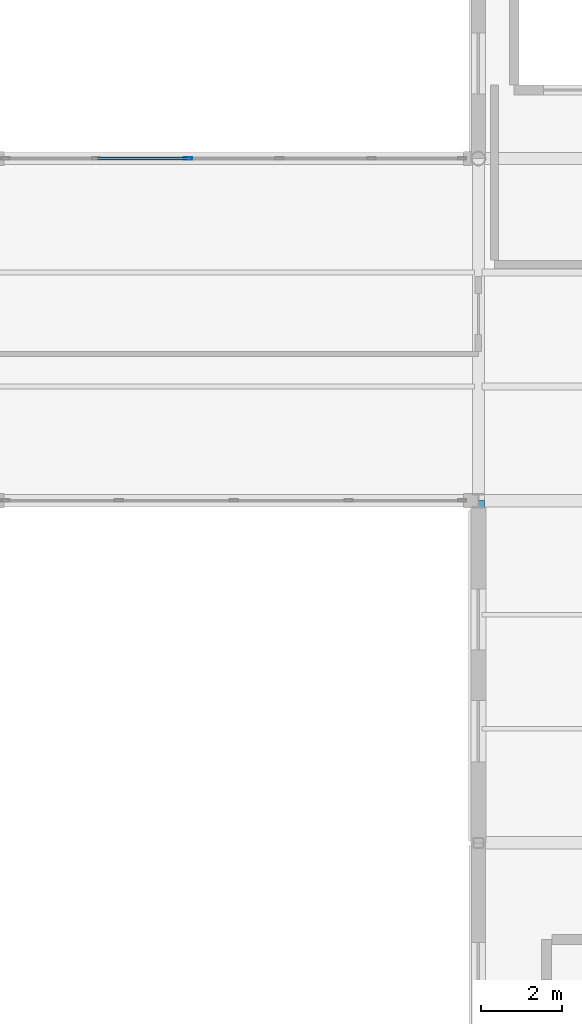
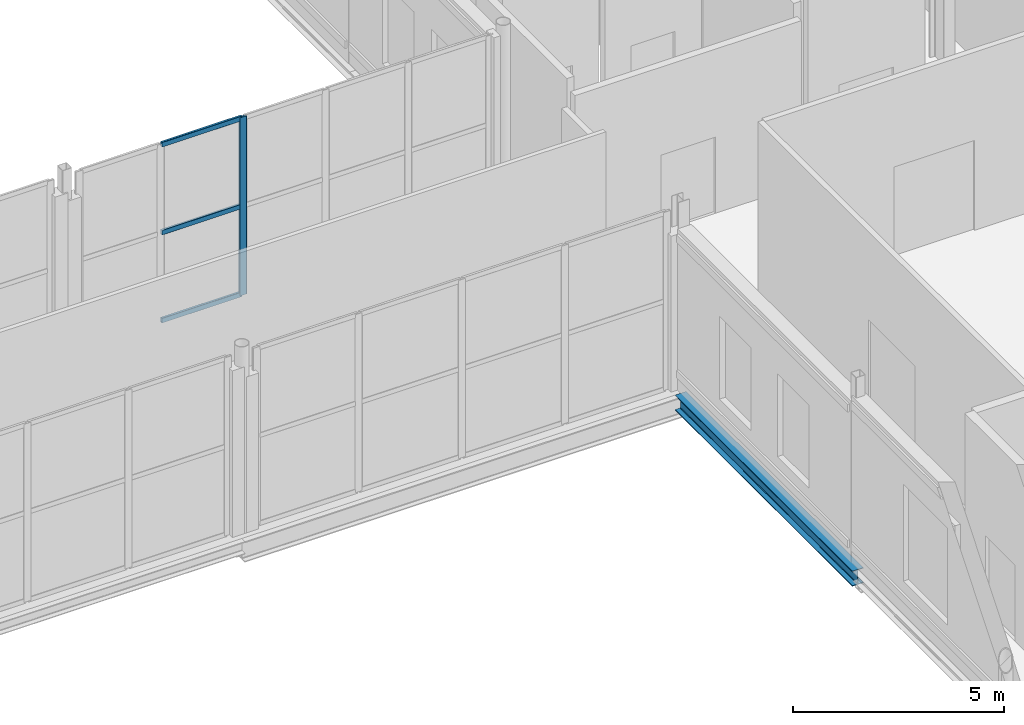
# One storey, part 89 of 147: 4 members, 1 beam, 1 element without a shape of its own.
"""IFC4 building model written with IfcOpenShell, lengths in metres."""

from ifc_helpers import new_model, si_unit, direction, frame, origin, origin_2d, place, context, subcontext, project, spatial, hollow_rectangle, i_section, extrude, material, layer, layer_set, material_profile, profile_set, type_object, element, aggregate, save


model = new_model("IFC4")

# Units and contexts
model_context = context("Model", 3, precision=1e-05, world=origin(), true_north=direction((0.0, 1.0)))
body_context = subcontext(model_context, "Body", "Model", "MODEL_VIEW")
ifc_project = project(units=[si_unit("LENGTHUNIT", "METRE"), si_unit("AREAUNIT", "SQUARE_METRE"), si_unit("VOLUMEUNIT", "CUBIC_METRE"), si_unit("PLANEANGLEUNIT", "RADIAN"), si_unit("MASSUNIT", "GRAM", prefix="KILO")], contexts=[model_context])

# Site, building, storey
site_placement = place(None, origin())
site = spatial("IfcSite", under=ifc_project, at=site_placement, CompositionType="ELEMENT")
building_placement = place(site_placement, origin())
building = spatial("IfcBuilding", under=site, at=building_placement, Name="Vekula Escarpment Museum", CompositionType="ELEMENT")
storey_placement = place(building_placement, frame((0.0, 0.0, 7.800048828125)))
storey = spatial("IfcBuildingStorey", under=building, at=storey_placement, Name="L02", CompositionType="ELEMENT", Elevation=7.800048828125)

# Beam
ifc_material_1 = material(Name="Steel S355", Category="steel")
ifc_material_profile_1 = material_profile(ifc_material_1, i_section(OverallWidth=0.300048828125, OverallDepth=0.43994140625, WebThickness=0.011474609375, FlangeThickness=0.02099609375, FilletRadius=0.027099609375, at=origin_2d()), Name="HEA 450")
ifc_profile_set_1 = profile_set([ifc_material_profile_1], Name="Steel S355")
beam_type = type_object("IfcBeamType", Name="BM-SPAN-HEA450", PredefinedType="SPANDREL", material=ifc_profile_set_1)
beam_placement = place(storey_placement, frame((167.0, 59.60009765625, -0.47998046875), z_axis=(0.0, 1.0, 0.0), x_axis=(-1.0, 0.0, 0.0)))
element("IfcBeam", 1, at=beam_placement, inside=storey, type_object=beam_type, Name="Beam Y L02 1229", PredefinedType="SPANDREL", context=body_context, shape_type="SweptSolid", body=[
    extrude(i_section(OverallWidth=0.300048828125, OverallDepth=0.43994140625, WebThickness=0.011474609375, FlangeThickness=0.02099609375, FilletRadius=0.027099609375, at=origin_2d()), origin(), (0.0, 0.0, 1.0), 8.39990234375),
])

# Curtain wall, members
ifc_material_2 = material(Name="Aluminium thermally broken framing", Category="aluminium")
ifc_layer = layer(ifc_material_2, 0.169921875)
ifc_layer_set = layer_set([ifc_layer], Name="Aluminium thermally broken framing")
curtain_wall_type = type_object("IfcCurtainWallType", Name="CW-SYS-10", PredefinedType="NOTDEFINED", material=ifc_layer_set)
curtain_wall_placement = place(storey_placement, origin())
curtain_wall = element("IfcCurtainWall", 2, at=curtain_wall_placement, inside=storey, type_object=curtain_wall_type, Name="Curtain Wall CW-L02-070", PredefinedType="NOTDEFINED")
ifc_material_3 = material(Name="Aluminium anodized mullion", Category="aluminium")
ifc_material_profile_2 = material_profile(ifc_material_3, hollow_rectangle(XDim=0.06494140625, YDim=0.199951171875, WallThickness=0.00390625, InnerFilletRadius=0.00390625, OuterFilletRadius=0.008056640625, at=origin_2d()), Name="ALU 200x65x4")
ifc_profile_set_2 = profile_set([ifc_material_profile_2], Name="Aluminium anodized mullion")
member_type_1 = type_object("IfcMemberType", Name="CW-MUL-200", PredefinedType="MULLION", material=ifc_profile_set_2)
member_1_placement = place(storey_placement, frame((159.8720703125, 76.39990234375, 0.0), z_axis=(0.0, 0.0, 1.0), x_axis=(0.0, -1.0, 0.0)))
member_1 = element("IfcMember", 3, at=member_1_placement, type_object=member_type_1, Name="CW-10 mullion 4", PredefinedType="MULLION", context=body_context, shape_type="SweptSolid", body=[
    extrude(hollow_rectangle(XDim=0.06494140625, YDim=0.199951171875, WallThickness=0.00390625, InnerFilletRadius=0.00390625, OuterFilletRadius=0.008056640625, at=origin_2d()), origin(), (0.0, 0.0, 1.0), 5.14990234375),
])
ifc_material_4 = material(Name="Aluminium anodized transom", Category="aluminium")
ifc_material_profile_3 = material_profile(ifc_material_4, hollow_rectangle(XDim=0.06494140625, YDim=0.139892578125, WallThickness=0.00390625, InnerFilletRadius=0.00390625, OuterFilletRadius=0.008056640625, at=origin_2d()), Name="ALU 140x65x4")
ifc_profile_set_3 = profile_set([ifc_material_profile_3], Name="Aluminium anodized transom")
member_type_2 = type_object("IfcMemberType", Name="CW-TRN-140", PredefinedType="USERDEFINED", material=ifc_profile_set_3)
member_2_placement = place(storey_placement, frame((159.839599609375, 76.39990234375, 0.032470703125), z_axis=(-1.0, 0.0, 0.0), x_axis=(0.0, -1.0, 0.0)))
member_2 = element("IfcMember", 4, at=member_2_placement, type_object=member_type_2, Name="CW-10 transom 4.1", ObjectType="TRANSOM", PredefinedType="USERDEFINED", context=body_context, shape_type="SweptSolid", body=[
    extrude(hollow_rectangle(XDim=0.06494140625, YDim=0.139892578125, WallThickness=0.00390625, InnerFilletRadius=0.00390625, OuterFilletRadius=0.008056640625, at=origin_2d()), origin(), (0.0, 0.0, 1.0), 2.191162109375),
])
member_3_placement = place(storey_placement, frame((159.839599609375, 76.39990234375, 2.574951171875), z_axis=(-1.0, 0.0, 0.0), x_axis=(0.0, -1.0, 0.0)))
member_3 = element("IfcMember", 5, at=member_3_placement, type_object=member_type_2, Name="CW-10 transom 4.2", ObjectType="TRANSOM", PredefinedType="USERDEFINED", context=body_context, shape_type="SweptSolid", body=[
    extrude(hollow_rectangle(XDim=0.06494140625, YDim=0.139892578125, WallThickness=0.00390625, InnerFilletRadius=0.00390625, OuterFilletRadius=0.008056640625, at=origin_2d()), origin(), (0.0, 0.0, 1.0), 2.191162109375),
])
member_4_placement = place(storey_placement, frame((159.839599609375, 76.39990234375, 5.117431640625), z_axis=(-1.0, 0.0, 0.0), x_axis=(0.0, -1.0, 0.0)))
member_4 = element("IfcMember", 6, at=member_4_placement, type_object=member_type_2, Name="CW-10 transom 4.3", ObjectType="TRANSOM", PredefinedType="USERDEFINED", context=body_context, shape_type="SweptSolid", body=[
    extrude(hollow_rectangle(XDim=0.06494140625, YDim=0.139892578125, WallThickness=0.00390625, InnerFilletRadius=0.00390625, OuterFilletRadius=0.008056640625, at=origin_2d()), origin(), (0.0, 0.0, 1.0), 2.191162109375),
])
aggregate(curtain_wall, [member_1, member_2, member_3, member_4])

save(model, "model.ifc")
